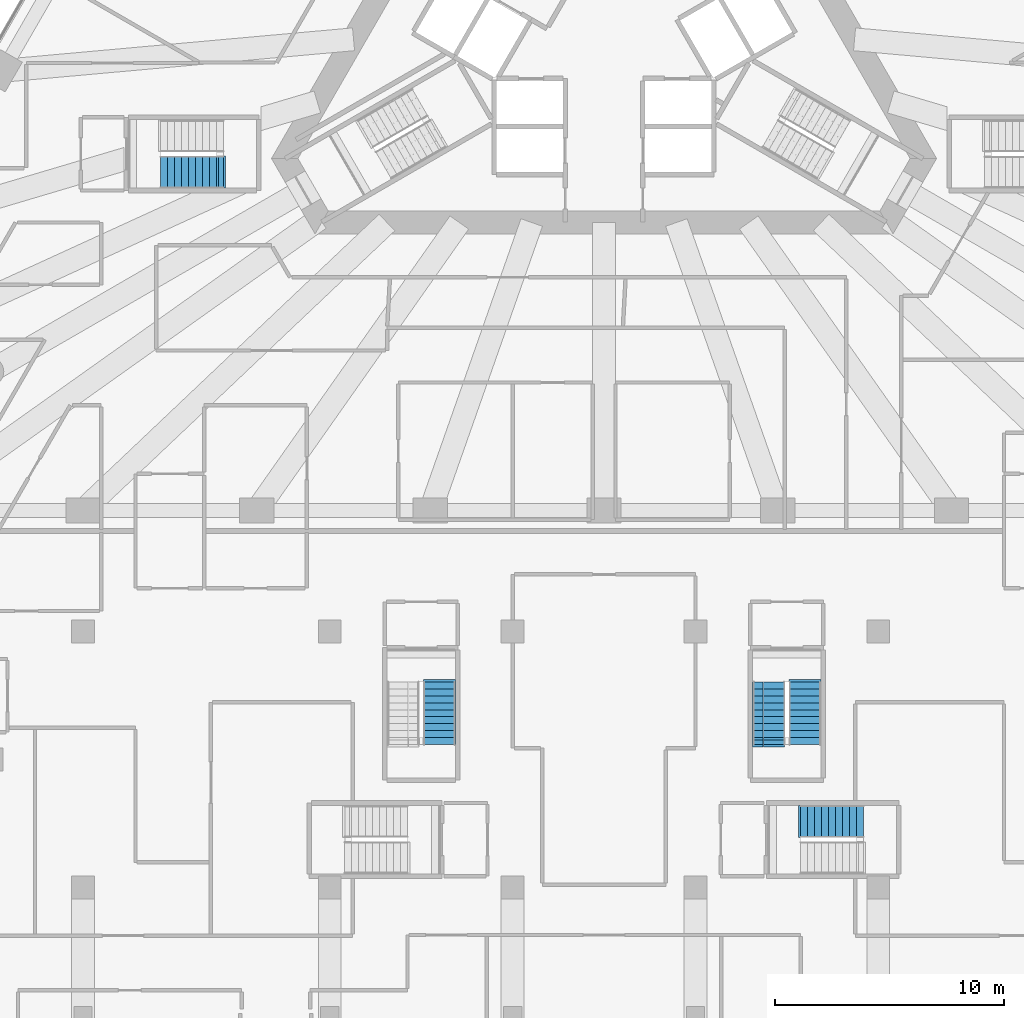
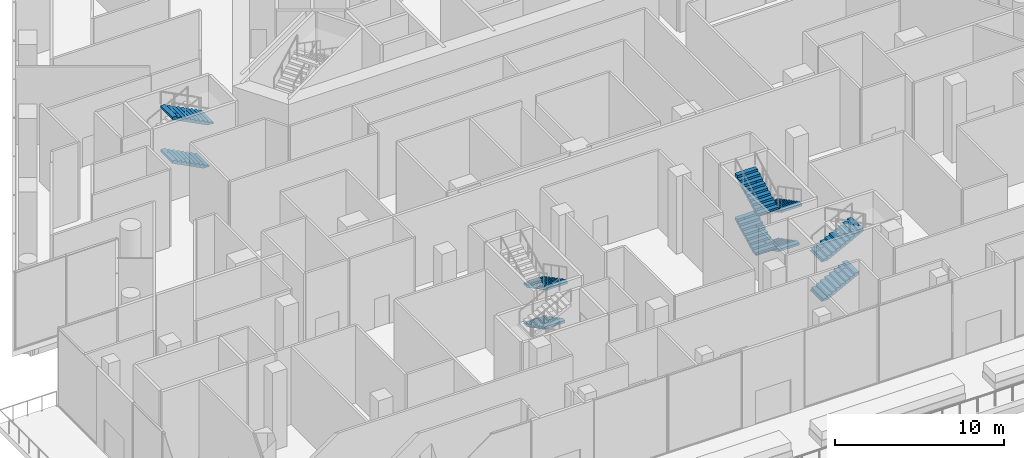
# One storey, part 30 of 36: 10 stair flights, 4 elements without a shape of their own.
"""IFC4 building model written with IfcOpenShell, lengths in metres."""

import ifcopenshell
import ifcopenshell.guid

model = None  # the IFC model being written
_history = None  # IfcOwnerHistory: only IFC2X3 demands one
_inside = {}  # id of a spatial element -> (the spatial element, [elements in it])
_under = {}  # id of a project, library or spatial element -> (it, [spatial elements below it])
_declared = {}  # id of a project -> (the project, [libraries it declares])
_typed = {}  # id of a type object -> (the type object, [elements of that type])
_made_of = {}  # id of a material, layer set ... -> (it, [elements and type objects made of it])


def new_model(schema):
    """Start an empty IFC model of exactly this schema.

    Asked for "IFC4X3", IfcOpenShell would pick the latest addendum, in which some entities
    have other attributes; the version numbers below select the first issue.
    IFC2X3 requires an IfcOwnerHistory on every rooted entity: one is made here for all.
    """
    global model, _history
    if schema == "IFC4X3":
        model = ifcopenshell.file(schema_version=(4, 3, 0, 0))
    else:
        model = ifcopenshell.file(schema=schema)
    _inside.clear()
    _under.clear()
    _declared.clear()
    _typed.clear()
    _made_of.clear()
    _history = None
    if model.schema == "IFC2X3":
        org = make("IfcOrganization", Name="unknown")
        user = make(
            "IfcPersonAndOrganization",
            ThePerson=make("IfcPerson", FamilyName="unknown"),
            TheOrganization=org,
        )
        app = make(
            "IfcApplication",
            ApplicationDeveloper=org,
            Version="unknown",
            ApplicationFullName="unknown",
            ApplicationIdentifier="unknown",
        )
        _history = make(
            "IfcOwnerHistory",
            OwningUser=user,
            OwningApplication=app,
            ChangeAction="ADDED",
            CreationDate=0,
        )
    return model


def make(cls, **values):
    """One entity of the class cls with the attributes given. An attribute that is None is left unset."""
    return model.create_entity(
        cls, **{name: value for name, value in values.items() if value is not None}
    )


def rooted(cls, **values):
    """An entity with a GlobalId (a new one), such as an element, a storey or a relation."""
    return make(cls, GlobalId=ifcopenshell.guid.new(), OwnerHistory=_history, **values)


def si_unit(unit_type, name, prefix=None):
    """IfcSIUnit, for example si_unit("LENGTHUNIT", "METRE", prefix="MILLI")."""
    return make("IfcSIUnit", UnitType=unit_type, Prefix=prefix, Name=name)


def assignment(units):
    """IfcUnitAssignment: the units of a project."""
    return None if units is None else make("IfcUnitAssignment", Units=units)


def point(xyz):
    """IfcCartesianPoint."""
    return None if xyz is None else make("IfcCartesianPoint", Coordinates=xyz)


def direction(xyz):
    """IfcDirection."""
    return None if xyz is None else make("IfcDirection", DirectionRatios=xyz)


def frame(location, z_axis=None, x_axis=None):
    """IfcAxis2Placement3D, a coordinate frame: its origin and axes. An axis left out is left unset."""
    return make(
        "IfcAxis2Placement3D",
        Location=point(location),
        Axis=direction(z_axis),
        RefDirection=direction(x_axis),
    )


def origin():
    """The frame at (0, 0, 0) with its axes left unset."""
    return frame((0.0, 0.0, 0.0))


def place(relative_to, where):
    """IfcLocalPlacement: puts the frame where relative to a parent placement (None: the world)."""
    return make(
        "IfcLocalPlacement", PlacementRelTo=relative_to, RelativePlacement=where
    )


def context(
    kind, dimensions, precision=None, world=None, true_north=None, identifier=None
):
    """IfcGeometricRepresentationContext, for example the 3D "Model" context."""
    return make(
        "IfcGeometricRepresentationContext",
        ContextIdentifier=identifier,
        ContextType=kind,
        CoordinateSpaceDimension=dimensions,
        Precision=precision,
        WorldCoordinateSystem=world,
        TrueNorth=true_north,
    )


def subcontext(parent, identifier, kind, view, scale=None):
    """IfcGeometricRepresentationSubContext, for example "Body" below "Model"."""
    return make(
        "IfcGeometricRepresentationSubContext",
        ContextIdentifier=identifier,
        ContextType=kind,
        ParentContext=parent,
        TargetScale=scale,
        TargetView=view,
    )


def project(units=None, contexts=None):
    """IfcProject with its units and contexts."""
    return rooted(
        "IfcProject",
        Name="project",
        RepresentationContexts=contexts,
        UnitsInContext=assignment(units),
    )


def spatial(cls, under=None, at=None, **own):
    """A site, building, storey or space (cls), placed at a placement, below another one or the project."""
    s = rooted(cls, ObjectPlacement=at, **own)
    if under is not None:
        _under.setdefault(under.id(), (under, []))[1].append(s)
    return s


def polyline(points):
    """IfcPolyline through the points."""
    return make("IfcPolyline", Points=[point(p) for p in points])


def outline(outer, holes=None, kind="AREA"):
    """IfcArbitraryClosedProfileDef: a profile drawn as a closed curve; with holes, ...WithVoids."""
    if holes is None:
        return make("IfcArbitraryClosedProfileDef", ProfileType=kind, OuterCurve=outer)
    return make(
        "IfcArbitraryProfileDefWithVoids",
        ProfileType=kind,
        OuterCurve=outer,
        InnerCurves=holes,
    )


def extrude(swept, where, along, depth):
    """IfcExtrudedAreaSolid: the profile swept, set in the frame where, extruded along a direction by depth."""
    return make(
        "IfcExtrudedAreaSolid",
        SweptArea=swept,
        Position=where,
        ExtrudedDirection=direction(along),
        Depth=depth,
    )


def shape(context_of_items, identifier, shape_type, items):
    """IfcShapeRepresentation: the items that make up one representation, for example the "Body"."""
    return make(
        "IfcShapeRepresentation",
        ContextOfItems=context_of_items,
        RepresentationIdentifier=identifier,
        RepresentationType=shape_type,
        Items=items,
    )


def material(Name=None, Category=None):
    """IfcMaterial."""
    return make("IfcMaterial", Name=Name, Category=Category)


def made_of(thing, what):
    """Note that an element or type object is made of a material, layer set ...; save() writes the relation."""
    if what is not None:
        _made_of.setdefault(what.id(), (what, []))[1].append(thing)
    return thing


def type_object(cls, material=None, **own):
    """A type object (cls), such as IfcWallType, which elements share."""
    return made_of(rooted(cls, **own), material)


def element(
    cls,
    number,
    at=None,
    inside=None,
    cuts=None,
    type_object=None,
    material=None,
    context=None,
    identifier="Body",
    shape_type=None,
    held_by="IfcProductDefinitionShape",
    body=None,
    shapes=None,
    **own,
):
    """One element of the class cls, such as IfcWall. Its Tag is "e" and its number.

    at: its placement. inside: the storey or other place that contains it. cuts: it is an
    opening in that element (IfcRelVoidsElement). A single representation is given by context,
    identifier, shape_type and body (its items); several are given by shapes. held_by: the class
    of the entity that holds the representations. save() writes the other relations.
    """
    e = rooted(cls, Tag="e%d" % number, ObjectPlacement=at, **own)
    if body is not None:
        shapes = [shape(context, identifier, shape_type, body)]
    if shapes is not None:
        e.Representation = make(held_by, Representations=shapes)
    if inside is not None:
        _inside.setdefault(inside.id(), (inside, []))[1].append(e)
    if cuts is not None:
        rooted(
            "IfcRelVoidsElement", RelatingBuildingElement=cuts, RelatedOpeningElement=e
        )
    if type_object is not None:
        _typed.setdefault(type_object.id(), (type_object, []))[1].append(e)
    return made_of(e, material)


def aggregate(whole, parts):
    """IfcRelAggregates: a whole, such as a stair, and the parts it consists of."""
    return rooted("IfcRelAggregates", RelatingObject=whole, RelatedObjects=parts)


def save(model, path):
    """Write the relations noted so far, then the file.

    IfcRelAggregates (storeys below a building ...), IfcRelContainedInSpatialStructure (elements
    in a storey), IfcRelDefinesByType, IfcRelAssociatesMaterial and IfcRelDeclares: one each for
    every whole, place, type object, material and project.
    """
    for whole, parts in _under.values():
        aggregate(whole, parts)
    for where, things in _inside.values():
        rooted(
            "IfcRelContainedInSpatialStructure",
            RelatedElements=things,
            RelatingStructure=where,
        )
    for kind, things in _typed.values():
        rooted("IfcRelDefinesByType", RelatedObjects=things, RelatingType=kind)
    for what, things in _made_of.values():
        rooted("IfcRelAssociatesMaterial", RelatedObjects=things, RelatingMaterial=what)
    for by, libraries in _declared.values():
        rooted("IfcRelDeclares", RelatingContext=by, RelatedDefinitions=libraries)
    model.write(path)


model = new_model("IFC4")

# Units and contexts
model_context = context("Model", 3, precision=1e-05, world=origin(), true_north=direction((0.0, 1.0)))
body_context = subcontext(model_context, "Body", "Model", "MODEL_VIEW")
ifc_project = project(units=[si_unit("LENGTHUNIT", "METRE"), si_unit("AREAUNIT", "SQUARE_METRE"), si_unit("VOLUMEUNIT", "CUBIC_METRE"), si_unit("PLANEANGLEUNIT", "RADIAN"), si_unit("MASSUNIT", "GRAM", prefix="KILO")], contexts=[model_context])

# Site, building, storey
site_placement = place(None, origin())
site = spatial("IfcSite", under=ifc_project, at=site_placement, CompositionType="ELEMENT")
building_placement = place(site_placement, origin())
building = spatial("IfcBuilding", under=site, at=building_placement, Name="Triada Interchange Tower", CompositionType="ELEMENT")
storey_placement = place(building_placement, frame((0.0, 0.0, 8.5)))
storey = spatial("IfcBuildingStorey", under=building, at=storey_placement, Name="L01", CompositionType="ELEMENT", Elevation=8.5)

# Stair, stair flights
ifc_material = material(Name="Concrete C35/45", Category="concrete")
stair_type = type_object("IfcStairType", Name="HALF TURN STAIR 1400", PredefinedType="HALF_TURN_STAIR", material=ifc_material)
stair_1_placement = place(storey_placement, origin())
stair_1 = element("IfcStair", 1, at=stair_1_placement, inside=storey, type_object=stair_type, Name="Exit stair S01-5", PredefinedType="HALF_TURN_STAIR")
stair_flight_type = type_object("IfcStairFlightType", Name="STRAIGHT STAIR FLIGHT 1400", PredefinedType="STRAIGHT", material=ifc_material)
stair_flight_1_placement = place(storey_placement, frame((8.60009765625, -35.199951171875, 0.0), z_axis=(0.0, 0.0, 1.0), x_axis=(1.0, 0.0, 0.0)))
stair_flight_1 = element("IfcStairFlight", 2, at=stair_flight_1_placement, type_object=stair_flight_type, Name="S01-5 flight 1", NumberOfRisers=9, NumberOfTreads=8, PredefinedType="STRAIGHT", RiserHeight=0.15789, TreadLength=0.305, context=body_context, shape_type="SweptSolid", body=[
    extrude(outline(polyline([(-0.10009765625, 0.0), (-0.10009765625, 0.02001953125), (0.0, 0.02001953125), (0.0, 0.157958984375), (0.304931640625, 0.157958984375), (0.304931640625, 0.315673828125), (0.610107421875, 0.315673828125), (0.610107421875, 0.4736328125), (0.9150390625, 0.4736328125), (0.9150390625, 0.631591796875), (1.219970703125, 0.631591796875), (1.219970703125, 0.78955078125), (1.52490234375, 0.78955078125), (1.52490234375, 0.947265625), (1.830078125, 0.947265625), (1.830078125, 1.105224609375), (2.135009765625, 1.105224609375), (2.135009765625, 1.26318359375), (2.43994140625, 1.26318359375), (2.444091796875, 1.26318359375), (2.444091796875, 1.4208984375), (2.444091796875, 1.09423828125), (0.326171875, 0.0), (-0.10009765625, 0.0)])), frame((0.0, 0.699951171875, 0.0), z_axis=(0.0, -1.0, 0.0), x_axis=(1.0, 0.0, 0.0)), (0.0, 0.0, 1.0), 0.46533203125),
    extrude(outline(polyline([(-0.10009765625, 0.0), (-0.10009765625, 0.02001953125), (0.0, 0.02001953125), (0.0, 0.157958984375), (0.304931640625, 0.157958984375), (0.304931640625, 0.315673828125), (0.610107421875, 0.315673828125), (0.610107421875, 0.4736328125), (0.9150390625, 0.4736328125), (0.9150390625, 0.631591796875), (1.219970703125, 0.631591796875), (1.219970703125, 0.78955078125), (1.52490234375, 0.78955078125), (1.52490234375, 0.947265625), (1.830078125, 0.947265625), (1.830078125, 1.105224609375), (2.135009765625, 1.105224609375), (2.135009765625, 1.26318359375), (2.43994140625, 1.26318359375), (2.444091796875, 1.26318359375), (2.444091796875, 1.4208984375), (2.444091796875, 1.09423828125), (0.326171875, 0.0), (-0.10009765625, 0.0)])), frame((0.0, 0.232666015625, 0.0), z_axis=(0.0, -1.0, 0.0), x_axis=(1.0, 0.0, 0.0)), (0.0, 0.0, 1.0), 0.46533203125),
    extrude(outline(polyline([(-0.10009765625, 0.0), (-0.10009765625, 0.02001953125), (0.0, 0.02001953125), (0.0, 0.157958984375), (0.304931640625, 0.157958984375), (0.304931640625, 0.315673828125), (0.610107421875, 0.315673828125), (0.610107421875, 0.4736328125), (0.9150390625, 0.4736328125), (0.9150390625, 0.631591796875), (1.219970703125, 0.631591796875), (1.219970703125, 0.78955078125), (1.52490234375, 0.78955078125), (1.52490234375, 0.947265625), (1.830078125, 0.947265625), (1.830078125, 1.105224609375), (2.135009765625, 1.105224609375), (2.135009765625, 1.26318359375), (2.43994140625, 1.26318359375), (2.444091796875, 1.26318359375), (2.444091796875, 1.4208984375), (2.444091796875, 1.09423828125), (0.326171875, 0.0), (-0.10009765625, 0.0)])), frame((0.0, -0.234619140625, 0.0), z_axis=(0.0, -1.0, 0.0), x_axis=(1.0, 0.0, 0.0)), (0.0, 0.0, 1.0), 0.46533203125),
])
stair_flight_2_placement = place(storey_placement, frame((8.60009765625, -35.199951171875, 2.842041015625), z_axis=(0.0, 0.0, 1.0), x_axis=(1.0, 0.0, 0.0)))
stair_flight_2 = element("IfcStairFlight", 3, at=stair_flight_2_placement, type_object=stair_flight_type, Name="S01-5 flight 3", NumberOfRisers=10, NumberOfTreads=9, PredefinedType="STRAIGHT", RiserHeight=0.15789, TreadLength=0.305, context=body_context, shape_type="SweptSolid", body=[
    extrude(outline(polyline([(-0.10009765625, 0.0), (-0.10009765625, 0.02001953125), (0.0, 0.02001953125), (0.0, 0.157958984375), (0.304931640625, 0.157958984375), (0.304931640625, 0.315673828125), (0.610107421875, 0.315673828125), (0.610107421875, 0.4736328125), (0.9150390625, 0.4736328125), (0.9150390625, 0.631591796875), (1.219970703125, 0.631591796875), (1.219970703125, 0.78955078125), (1.52490234375, 0.78955078125), (1.52490234375, 0.947265625), (1.830078125, 0.947265625), (1.830078125, 1.105224609375), (2.135009765625, 1.105224609375), (2.135009765625, 1.26318359375), (2.43994140625, 1.26318359375), (2.43994140625, 1.4208984375), (2.7451171875, 1.4208984375), (2.7490234375, 1.4208984375), (2.7490234375, 1.578857421875), (2.7490234375, 1.252197265625), (0.326171875, 0.0), (-0.10009765625, 0.0)])), frame((0.0, 0.699951171875, 0.0), z_axis=(0.0, -1.0, 0.0), x_axis=(1.0, 0.0, 0.0)), (0.0, 0.0, 1.0), 0.46533203125),
    extrude(outline(polyline([(-0.10009765625, 0.0), (-0.10009765625, 0.02001953125), (0.0, 0.02001953125), (0.0, 0.157958984375), (0.304931640625, 0.157958984375), (0.304931640625, 0.315673828125), (0.610107421875, 0.315673828125), (0.610107421875, 0.4736328125), (0.9150390625, 0.4736328125), (0.9150390625, 0.631591796875), (1.219970703125, 0.631591796875), (1.219970703125, 0.78955078125), (1.52490234375, 0.78955078125), (1.52490234375, 0.947265625), (1.830078125, 0.947265625), (1.830078125, 1.105224609375), (2.135009765625, 1.105224609375), (2.135009765625, 1.26318359375), (2.43994140625, 1.26318359375), (2.43994140625, 1.4208984375), (2.7451171875, 1.4208984375), (2.7490234375, 1.4208984375), (2.7490234375, 1.578857421875), (2.7490234375, 1.252197265625), (0.326171875, 0.0), (-0.10009765625, 0.0)])), frame((0.0, 0.232666015625, 0.0), z_axis=(0.0, -1.0, 0.0), x_axis=(1.0, 0.0, 0.0)), (0.0, 0.0, 1.0), 0.46533203125),
    extrude(outline(polyline([(-0.10009765625, 0.0), (-0.10009765625, 0.02001953125), (0.0, 0.02001953125), (0.0, 0.157958984375), (0.304931640625, 0.157958984375), (0.304931640625, 0.315673828125), (0.610107421875, 0.315673828125), (0.610107421875, 0.4736328125), (0.9150390625, 0.4736328125), (0.9150390625, 0.631591796875), (1.219970703125, 0.631591796875), (1.219970703125, 0.78955078125), (1.52490234375, 0.78955078125), (1.52490234375, 0.947265625), (1.830078125, 0.947265625), (1.830078125, 1.105224609375), (2.135009765625, 1.105224609375), (2.135009765625, 1.26318359375), (2.43994140625, 1.26318359375), (2.43994140625, 1.4208984375), (2.7451171875, 1.4208984375), (2.7490234375, 1.4208984375), (2.7490234375, 1.578857421875), (2.7490234375, 1.252197265625), (0.326171875, 0.0), (-0.10009765625, 0.0)])), frame((0.0, -0.234619140625, 0.0), z_axis=(0.0, -1.0, 0.0), x_axis=(1.0, 0.0, 0.0)), (0.0, 0.0, 1.0), 0.46533203125),
])
aggregate(stair_1, [stair_flight_1, stair_flight_2])

stair_2_placement = place(storey_placement, origin())
stair_2 = element("IfcStair", 4, at=stair_2_placement, inside=storey, type_object=stair_type, Name="Exit stair S01-6", PredefinedType="HALF_TURN_STAIR")
stair_flight_3_placement = place(storey_placement, frame((-16.9599609375, -6.800048828125, 1.4208984375), z_axis=(0.0, 0.0, 1.0), x_axis=(-1.0, 0.0, 0.0)))
stair_flight_3 = element("IfcStairFlight", 5, at=stair_flight_3_placement, type_object=stair_flight_type, Name="S01-6 flight 2", NumberOfRisers=9, NumberOfTreads=8, PredefinedType="STRAIGHT", RiserHeight=0.15789, TreadLength=0.305, context=body_context, shape_type="SweptSolid", body=[
    extrude(outline(polyline([(-0.10009765625, 0.0), (-0.10009765625, 0.02001953125), (0.0, 0.02001953125), (0.0, 0.157958984375), (0.304931640625, 0.157958984375), (0.304931640625, 0.315673828125), (0.610107421875, 0.315673828125), (0.610107421875, 0.4736328125), (0.9150390625, 0.4736328125), (0.9150390625, 0.631591796875), (1.219970703125, 0.631591796875), (1.219970703125, 0.78955078125), (1.52490234375, 0.78955078125), (1.52490234375, 0.947265625), (1.830078125, 0.947265625), (1.830078125, 1.105224609375), (2.135009765625, 1.105224609375), (2.135009765625, 1.26318359375), (2.43994140625, 1.26318359375), (2.444091796875, 1.26318359375), (2.444091796875, 1.4208984375), (2.444091796875, 1.09423828125), (0.326171875, 0.0), (-0.10009765625, 0.0)])), frame((0.0, 0.699951171875, 0.0), z_axis=(0.0, -1.0, 0.0), x_axis=(1.0, 0.0, 0.0)), (0.0, 0.0, 1.0), 0.46533203125),
    extrude(outline(polyline([(-0.10009765625, 0.0), (-0.10009765625, 0.02001953125), (0.0, 0.02001953125), (0.0, 0.157958984375), (0.304931640625, 0.157958984375), (0.304931640625, 0.315673828125), (0.610107421875, 0.315673828125), (0.610107421875, 0.4736328125), (0.9150390625, 0.4736328125), (0.9150390625, 0.631591796875), (1.219970703125, 0.631591796875), (1.219970703125, 0.78955078125), (1.52490234375, 0.78955078125), (1.52490234375, 0.947265625), (1.830078125, 0.947265625), (1.830078125, 1.105224609375), (2.135009765625, 1.105224609375), (2.135009765625, 1.26318359375), (2.43994140625, 1.26318359375), (2.444091796875, 1.26318359375), (2.444091796875, 1.4208984375), (2.444091796875, 1.09423828125), (0.326171875, 0.0), (-0.10009765625, 0.0)])), frame((0.0, 0.232666015625, 0.0), z_axis=(0.0, -1.0, 0.0), x_axis=(1.0, 0.0, 0.0)), (0.0, 0.0, 1.0), 0.46533203125),
    extrude(outline(polyline([(-0.10009765625, 0.0), (-0.10009765625, 0.02001953125), (0.0, 0.02001953125), (0.0, 0.157958984375), (0.304931640625, 0.157958984375), (0.304931640625, 0.315673828125), (0.610107421875, 0.315673828125), (0.610107421875, 0.4736328125), (0.9150390625, 0.4736328125), (0.9150390625, 0.631591796875), (1.219970703125, 0.631591796875), (1.219970703125, 0.78955078125), (1.52490234375, 0.78955078125), (1.52490234375, 0.947265625), (1.830078125, 0.947265625), (1.830078125, 1.105224609375), (2.135009765625, 1.105224609375), (2.135009765625, 1.26318359375), (2.43994140625, 1.26318359375), (2.444091796875, 1.26318359375), (2.444091796875, 1.4208984375), (2.444091796875, 1.09423828125), (0.326171875, 0.0), (-0.10009765625, 0.0)])), frame((0.0, -0.234619140625, 0.0), z_axis=(0.0, -1.0, 0.0), x_axis=(1.0, 0.0, 0.0)), (0.0, 0.0, 1.0), 0.46533203125),
])
stair_flight_4_placement = place(storey_placement, frame((-16.655029296875, -6.800048828125, 4.4208984375), z_axis=(0.0, 0.0, 1.0), x_axis=(-1.0, 0.0, 0.0)))
stair_flight_4 = element("IfcStairFlight", 6, at=stair_flight_4_placement, type_object=stair_flight_type, Name="S01-6 flight 4", NumberOfRisers=10, NumberOfTreads=9, PredefinedType="STRAIGHT", RiserHeight=0.15789, TreadLength=0.305, context=body_context, shape_type="SweptSolid", body=[
    extrude(outline(polyline([(-0.10009765625, 0.0), (-0.10009765625, 0.02001953125), (0.0, 0.02001953125), (0.0, 0.157958984375), (0.304931640625, 0.157958984375), (0.304931640625, 0.315673828125), (0.610107421875, 0.315673828125), (0.610107421875, 0.4736328125), (0.9150390625, 0.4736328125), (0.9150390625, 0.631591796875), (1.219970703125, 0.631591796875), (1.219970703125, 0.78955078125), (1.52490234375, 0.78955078125), (1.52490234375, 0.947265625), (1.830078125, 0.947265625), (1.830078125, 1.105224609375), (2.135009765625, 1.105224609375), (2.135009765625, 1.26318359375), (2.43994140625, 1.26318359375), (2.43994140625, 1.4208984375), (2.7451171875, 1.4208984375), (2.7490234375, 1.4208984375), (2.7490234375, 1.578857421875), (2.7490234375, 1.252197265625), (0.326171875, 0.0), (-0.10009765625, 0.0)])), frame((0.0, 0.699951171875, 0.0), z_axis=(0.0, -1.0, 0.0), x_axis=(1.0, 0.0, 0.0)), (0.0, 0.0, 1.0), 0.46533203125),
    extrude(outline(polyline([(-0.10009765625, 0.0), (-0.10009765625, 0.02001953125), (0.0, 0.02001953125), (0.0, 0.157958984375), (0.304931640625, 0.157958984375), (0.304931640625, 0.315673828125), (0.610107421875, 0.315673828125), (0.610107421875, 0.4736328125), (0.9150390625, 0.4736328125), (0.9150390625, 0.631591796875), (1.219970703125, 0.631591796875), (1.219970703125, 0.78955078125), (1.52490234375, 0.78955078125), (1.52490234375, 0.947265625), (1.830078125, 0.947265625), (1.830078125, 1.105224609375), (2.135009765625, 1.105224609375), (2.135009765625, 1.26318359375), (2.43994140625, 1.26318359375), (2.43994140625, 1.4208984375), (2.7451171875, 1.4208984375), (2.7490234375, 1.4208984375), (2.7490234375, 1.578857421875), (2.7490234375, 1.252197265625), (0.326171875, 0.0), (-0.10009765625, 0.0)])), frame((0.0, 0.232666015625, 0.0), z_axis=(0.0, -1.0, 0.0), x_axis=(1.0, 0.0, 0.0)), (0.0, 0.0, 1.0), 0.46533203125),
    extrude(outline(polyline([(-0.10009765625, 0.0), (-0.10009765625, 0.02001953125), (0.0, 0.02001953125), (0.0, 0.157958984375), (0.304931640625, 0.157958984375), (0.304931640625, 0.315673828125), (0.610107421875, 0.315673828125), (0.610107421875, 0.4736328125), (0.9150390625, 0.4736328125), (0.9150390625, 0.631591796875), (1.219970703125, 0.631591796875), (1.219970703125, 0.78955078125), (1.52490234375, 0.78955078125), (1.52490234375, 0.947265625), (1.830078125, 0.947265625), (1.830078125, 1.105224609375), (2.135009765625, 1.105224609375), (2.135009765625, 1.26318359375), (2.43994140625, 1.26318359375), (2.43994140625, 1.4208984375), (2.7451171875, 1.4208984375), (2.7490234375, 1.4208984375), (2.7490234375, 1.578857421875), (2.7490234375, 1.252197265625), (0.326171875, 0.0), (-0.10009765625, 0.0)])), frame((0.0, -0.234619140625, 0.0), z_axis=(0.0, -1.0, 0.0), x_axis=(1.0, 0.0, 0.0)), (0.0, 0.0, 1.0), 0.46533203125),
])
aggregate(stair_2, [stair_flight_3, stair_flight_4])

stair_3_placement = place(storey_placement, origin())
stair_3 = element("IfcStair", 7, at=stair_3_placement, inside=storey, type_object=stair_type, Name="Exit stair S01-10", PredefinedType="HALF_TURN_STAIR")
stair_flight_5_placement = place(storey_placement, frame((8.800048828125, -29.10009765625, 0.0), z_axis=(0.0, 0.0, 1.0), x_axis=(0.0, -1.0, 0.0)))
stair_flight_5 = element("IfcStairFlight", 8, at=stair_flight_5_placement, type_object=stair_flight_type, Name="S01-10 flight 1", NumberOfRisers=9, NumberOfTreads=8, PredefinedType="STRAIGHT", RiserHeight=0.15789, TreadLength=0.305, context=body_context, shape_type="SweptSolid", body=[
    extrude(outline(polyline([(-0.10009765625, 0.0), (-0.10009765625, 0.02001953125), (0.0, 0.02001953125), (0.0, 0.157958984375), (0.304931640625, 0.157958984375), (0.304931640625, 0.315673828125), (0.610107421875, 0.315673828125), (0.610107421875, 0.4736328125), (0.9150390625, 0.4736328125), (0.9150390625, 0.631591796875), (1.219970703125, 0.631591796875), (1.219970703125, 0.78955078125), (1.52490234375, 0.78955078125), (1.52490234375, 0.947265625), (1.830078125, 0.947265625), (1.830078125, 1.105224609375), (2.135009765625, 1.105224609375), (2.135009765625, 1.26318359375), (2.43994140625, 1.26318359375), (2.444091796875, 1.26318359375), (2.444091796875, 1.4208984375), (2.444091796875, 1.09423828125), (0.326171875, 0.0), (-0.10009765625, 0.0)])), frame((0.0, 0.699951171875, 0.0), z_axis=(0.0, -1.0, 0.0), x_axis=(1.0, 0.0, 0.0)), (0.0, 0.0, 1.0), 0.46533203125),
    extrude(outline(polyline([(-0.10009765625, 0.0), (-0.10009765625, 0.02001953125), (0.0, 0.02001953125), (0.0, 0.157958984375), (0.304931640625, 0.157958984375), (0.304931640625, 0.315673828125), (0.610107421875, 0.315673828125), (0.610107421875, 0.4736328125), (0.9150390625, 0.4736328125), (0.9150390625, 0.631591796875), (1.219970703125, 0.631591796875), (1.219970703125, 0.78955078125), (1.52490234375, 0.78955078125), (1.52490234375, 0.947265625), (1.830078125, 0.947265625), (1.830078125, 1.105224609375), (2.135009765625, 1.105224609375), (2.135009765625, 1.26318359375), (2.43994140625, 1.26318359375), (2.444091796875, 1.26318359375), (2.444091796875, 1.4208984375), (2.444091796875, 1.09423828125), (0.326171875, 0.0), (-0.10009765625, 0.0)])), frame((0.0, 0.232666015625, 0.0), z_axis=(0.0, -1.0, 0.0), x_axis=(1.0, 0.0, 0.0)), (0.0, 0.0, 1.0), 0.46533203125),
    extrude(outline(polyline([(-0.10009765625, 0.0), (-0.10009765625, 0.02001953125), (0.0, 0.02001953125), (0.0, 0.157958984375), (0.304931640625, 0.157958984375), (0.304931640625, 0.315673828125), (0.610107421875, 0.315673828125), (0.610107421875, 0.4736328125), (0.9150390625, 0.4736328125), (0.9150390625, 0.631591796875), (1.219970703125, 0.631591796875), (1.219970703125, 0.78955078125), (1.52490234375, 0.78955078125), (1.52490234375, 0.947265625), (1.830078125, 0.947265625), (1.830078125, 1.105224609375), (2.135009765625, 1.105224609375), (2.135009765625, 1.26318359375), (2.43994140625, 1.26318359375), (2.444091796875, 1.26318359375), (2.444091796875, 1.4208984375), (2.444091796875, 1.09423828125), (0.326171875, 0.0), (-0.10009765625, 0.0)])), frame((0.0, -0.234619140625, 0.0), z_axis=(0.0, -1.0, 0.0), x_axis=(1.0, 0.0, 0.0)), (0.0, 0.0, 1.0), 0.46533203125),
])
stair_flight_6_placement = place(storey_placement, frame((7.199951171875, -31.5400390625, 1.4208984375), z_axis=(0.0, 0.0, 1.0), x_axis=(0.0, 1.0, 0.0)))
stair_flight_6 = element("IfcStairFlight", 9, at=stair_flight_6_placement, type_object=stair_flight_type, Name="S01-10 flight 2", NumberOfRisers=9, NumberOfTreads=8, PredefinedType="STRAIGHT", RiserHeight=0.15789, TreadLength=0.305, context=body_context, shape_type="SweptSolid", body=[
    extrude(outline(polyline([(-0.10009765625, 0.0), (-0.10009765625, 0.02001953125), (0.0, 0.02001953125), (0.0, 0.157958984375), (0.304931640625, 0.157958984375), (0.304931640625, 0.315673828125), (0.610107421875, 0.315673828125), (0.610107421875, 0.4736328125), (0.9150390625, 0.4736328125), (0.9150390625, 0.631591796875), (1.219970703125, 0.631591796875), (1.219970703125, 0.78955078125), (1.52490234375, 0.78955078125), (1.52490234375, 0.947265625), (1.830078125, 0.947265625), (1.830078125, 1.105224609375), (2.135009765625, 1.105224609375), (2.135009765625, 1.26318359375), (2.43994140625, 1.26318359375), (2.444091796875, 1.26318359375), (2.444091796875, 1.4208984375), (2.444091796875, 1.09423828125), (0.326171875, 0.0), (-0.10009765625, 0.0)])), frame((0.0, 0.699951171875, 0.0), z_axis=(0.0, -1.0, 0.0), x_axis=(1.0, 0.0, 0.0)), (0.0, 0.0, 1.0), 0.46533203125),
    extrude(outline(polyline([(-0.10009765625, 0.0), (-0.10009765625, 0.02001953125), (0.0, 0.02001953125), (0.0, 0.157958984375), (0.304931640625, 0.157958984375), (0.304931640625, 0.315673828125), (0.610107421875, 0.315673828125), (0.610107421875, 0.4736328125), (0.9150390625, 0.4736328125), (0.9150390625, 0.631591796875), (1.219970703125, 0.631591796875), (1.219970703125, 0.78955078125), (1.52490234375, 0.78955078125), (1.52490234375, 0.947265625), (1.830078125, 0.947265625), (1.830078125, 1.105224609375), (2.135009765625, 1.105224609375), (2.135009765625, 1.26318359375), (2.43994140625, 1.26318359375), (2.444091796875, 1.26318359375), (2.444091796875, 1.4208984375), (2.444091796875, 1.09423828125), (0.326171875, 0.0), (-0.10009765625, 0.0)])), frame((0.0, 0.232666015625, 0.0), z_axis=(0.0, -1.0, 0.0), x_axis=(1.0, 0.0, 0.0)), (0.0, 0.0, 1.0), 0.46533203125),
    extrude(outline(polyline([(-0.10009765625, 0.0), (-0.10009765625, 0.02001953125), (0.0, 0.02001953125), (0.0, 0.157958984375), (0.304931640625, 0.157958984375), (0.304931640625, 0.315673828125), (0.610107421875, 0.315673828125), (0.610107421875, 0.4736328125), (0.9150390625, 0.4736328125), (0.9150390625, 0.631591796875), (1.219970703125, 0.631591796875), (1.219970703125, 0.78955078125), (1.52490234375, 0.78955078125), (1.52490234375, 0.947265625), (1.830078125, 0.947265625), (1.830078125, 1.105224609375), (2.135009765625, 1.105224609375), (2.135009765625, 1.26318359375), (2.43994140625, 1.26318359375), (2.444091796875, 1.26318359375), (2.444091796875, 1.4208984375), (2.444091796875, 1.09423828125), (0.326171875, 0.0), (-0.10009765625, 0.0)])), frame((0.0, -0.234619140625, 0.0), z_axis=(0.0, -1.0, 0.0), x_axis=(1.0, 0.0, 0.0)), (0.0, 0.0, 1.0), 0.46533203125),
])
stair_flight_7_placement = place(storey_placement, frame((8.800048828125, -29.10009765625, 2.842041015625), z_axis=(0.0, 0.0, 1.0), x_axis=(0.0, -1.0, 0.0)))
stair_flight_7 = element("IfcStairFlight", 10, at=stair_flight_7_placement, type_object=stair_flight_type, Name="S01-10 flight 3", NumberOfRisers=10, NumberOfTreads=9, PredefinedType="STRAIGHT", RiserHeight=0.15789, TreadLength=0.305, context=body_context, shape_type="SweptSolid", body=[
    extrude(outline(polyline([(-0.10009765625, 0.0), (-0.10009765625, 0.02001953125), (0.0, 0.02001953125), (0.0, 0.157958984375), (0.304931640625, 0.157958984375), (0.304931640625, 0.315673828125), (0.610107421875, 0.315673828125), (0.610107421875, 0.4736328125), (0.9150390625, 0.4736328125), (0.9150390625, 0.631591796875), (1.219970703125, 0.631591796875), (1.219970703125, 0.78955078125), (1.52490234375, 0.78955078125), (1.52490234375, 0.947265625), (1.830078125, 0.947265625), (1.830078125, 1.105224609375), (2.135009765625, 1.105224609375), (2.135009765625, 1.26318359375), (2.43994140625, 1.26318359375), (2.43994140625, 1.4208984375), (2.7451171875, 1.4208984375), (2.7490234375, 1.4208984375), (2.7490234375, 1.578857421875), (2.7490234375, 1.252197265625), (0.326171875, 0.0), (-0.10009765625, 0.0)])), frame((0.0, 0.699951171875, 0.0), z_axis=(0.0, -1.0, 0.0), x_axis=(1.0, 0.0, 0.0)), (0.0, 0.0, 1.0), 0.46533203125),
    extrude(outline(polyline([(-0.10009765625, 0.0), (-0.10009765625, 0.02001953125), (0.0, 0.02001953125), (0.0, 0.157958984375), (0.304931640625, 0.157958984375), (0.304931640625, 0.315673828125), (0.610107421875, 0.315673828125), (0.610107421875, 0.4736328125), (0.9150390625, 0.4736328125), (0.9150390625, 0.631591796875), (1.219970703125, 0.631591796875), (1.219970703125, 0.78955078125), (1.52490234375, 0.78955078125), (1.52490234375, 0.947265625), (1.830078125, 0.947265625), (1.830078125, 1.105224609375), (2.135009765625, 1.105224609375), (2.135009765625, 1.26318359375), (2.43994140625, 1.26318359375), (2.43994140625, 1.4208984375), (2.7451171875, 1.4208984375), (2.7490234375, 1.4208984375), (2.7490234375, 1.578857421875), (2.7490234375, 1.252197265625), (0.326171875, 0.0), (-0.10009765625, 0.0)])), frame((0.0, 0.232666015625, 0.0), z_axis=(0.0, -1.0, 0.0), x_axis=(1.0, 0.0, 0.0)), (0.0, 0.0, 1.0), 0.46533203125),
    extrude(outline(polyline([(-0.10009765625, 0.0), (-0.10009765625, 0.02001953125), (0.0, 0.02001953125), (0.0, 0.157958984375), (0.304931640625, 0.157958984375), (0.304931640625, 0.315673828125), (0.610107421875, 0.315673828125), (0.610107421875, 0.4736328125), (0.9150390625, 0.4736328125), (0.9150390625, 0.631591796875), (1.219970703125, 0.631591796875), (1.219970703125, 0.78955078125), (1.52490234375, 0.78955078125), (1.52490234375, 0.947265625), (1.830078125, 0.947265625), (1.830078125, 1.105224609375), (2.135009765625, 1.105224609375), (2.135009765625, 1.26318359375), (2.43994140625, 1.26318359375), (2.43994140625, 1.4208984375), (2.7451171875, 1.4208984375), (2.7490234375, 1.4208984375), (2.7490234375, 1.578857421875), (2.7490234375, 1.252197265625), (0.326171875, 0.0), (-0.10009765625, 0.0)])), frame((0.0, -0.234619140625, 0.0), z_axis=(0.0, -1.0, 0.0), x_axis=(1.0, 0.0, 0.0)), (0.0, 0.0, 1.0), 0.46533203125),
])
stair_flight_8_placement = place(storey_placement, frame((7.199951171875, -31.844970703125, 4.4208984375), z_axis=(0.0, 0.0, 1.0), x_axis=(0.0, 1.0, 0.0)))
stair_flight_8 = element("IfcStairFlight", 11, at=stair_flight_8_placement, type_object=stair_flight_type, Name="S01-10 flight 4", NumberOfRisers=10, NumberOfTreads=9, PredefinedType="STRAIGHT", RiserHeight=0.15789, TreadLength=0.305, context=body_context, shape_type="SweptSolid", body=[
    extrude(outline(polyline([(-0.10009765625, 0.0), (-0.10009765625, 0.02001953125), (0.0, 0.02001953125), (0.0, 0.157958984375), (0.304931640625, 0.157958984375), (0.304931640625, 0.315673828125), (0.610107421875, 0.315673828125), (0.610107421875, 0.4736328125), (0.9150390625, 0.4736328125), (0.9150390625, 0.631591796875), (1.219970703125, 0.631591796875), (1.219970703125, 0.78955078125), (1.52490234375, 0.78955078125), (1.52490234375, 0.947265625), (1.830078125, 0.947265625), (1.830078125, 1.105224609375), (2.135009765625, 1.105224609375), (2.135009765625, 1.26318359375), (2.43994140625, 1.26318359375), (2.43994140625, 1.4208984375), (2.7451171875, 1.4208984375), (2.7490234375, 1.4208984375), (2.7490234375, 1.578857421875), (2.7490234375, 1.252197265625), (0.326171875, 0.0), (-0.10009765625, 0.0)])), frame((0.0, 0.699951171875, 0.0), z_axis=(0.0, -1.0, 0.0), x_axis=(1.0, 0.0, 0.0)), (0.0, 0.0, 1.0), 0.46533203125),
    extrude(outline(polyline([(-0.10009765625, 0.0), (-0.10009765625, 0.02001953125), (0.0, 0.02001953125), (0.0, 0.157958984375), (0.304931640625, 0.157958984375), (0.304931640625, 0.315673828125), (0.610107421875, 0.315673828125), (0.610107421875, 0.4736328125), (0.9150390625, 0.4736328125), (0.9150390625, 0.631591796875), (1.219970703125, 0.631591796875), (1.219970703125, 0.78955078125), (1.52490234375, 0.78955078125), (1.52490234375, 0.947265625), (1.830078125, 0.947265625), (1.830078125, 1.105224609375), (2.135009765625, 1.105224609375), (2.135009765625, 1.26318359375), (2.43994140625, 1.26318359375), (2.43994140625, 1.4208984375), (2.7451171875, 1.4208984375), (2.7490234375, 1.4208984375), (2.7490234375, 1.578857421875), (2.7490234375, 1.252197265625), (0.326171875, 0.0), (-0.10009765625, 0.0)])), frame((0.0, 0.232666015625, 0.0), z_axis=(0.0, -1.0, 0.0), x_axis=(1.0, 0.0, 0.0)), (0.0, 0.0, 1.0), 0.46533203125),
    extrude(outline(polyline([(-0.10009765625, 0.0), (-0.10009765625, 0.02001953125), (0.0, 0.02001953125), (0.0, 0.157958984375), (0.304931640625, 0.157958984375), (0.304931640625, 0.315673828125), (0.610107421875, 0.315673828125), (0.610107421875, 0.4736328125), (0.9150390625, 0.4736328125), (0.9150390625, 0.631591796875), (1.219970703125, 0.631591796875), (1.219970703125, 0.78955078125), (1.52490234375, 0.78955078125), (1.52490234375, 0.947265625), (1.830078125, 0.947265625), (1.830078125, 1.105224609375), (2.135009765625, 1.105224609375), (2.135009765625, 1.26318359375), (2.43994140625, 1.26318359375), (2.43994140625, 1.4208984375), (2.7451171875, 1.4208984375), (2.7490234375, 1.4208984375), (2.7490234375, 1.578857421875), (2.7490234375, 1.252197265625), (0.326171875, 0.0), (-0.10009765625, 0.0)])), frame((0.0, -0.234619140625, 0.0), z_axis=(0.0, -1.0, 0.0), x_axis=(1.0, 0.0, 0.0)), (0.0, 0.0, 1.0), 0.46533203125),
])
aggregate(stair_3, [stair_flight_5, stair_flight_6, stair_flight_7, stair_flight_8])

stair_4_placement = place(storey_placement, origin())
stair_4 = element("IfcStair", 12, at=stair_4_placement, inside=storey, type_object=stair_type, Name="Exit stair S01-11", PredefinedType="HALF_TURN_STAIR")
stair_flight_9_placement = place(storey_placement, frame((-7.199951171875, -29.10009765625, 0.0), z_axis=(0.0, 0.0, 1.0), x_axis=(0.0, -1.0, 0.0)))
stair_flight_9 = element("IfcStairFlight", 13, at=stair_flight_9_placement, type_object=stair_flight_type, Name="S01-11 flight 1", NumberOfRisers=9, NumberOfTreads=8, PredefinedType="STRAIGHT", RiserHeight=0.15789, TreadLength=0.305, context=body_context, shape_type="SweptSolid", body=[
    extrude(outline(polyline([(-0.10009765625, 0.0), (-0.10009765625, 0.02001953125), (0.0, 0.02001953125), (0.0, 0.157958984375), (0.304931640625, 0.157958984375), (0.304931640625, 0.315673828125), (0.610107421875, 0.315673828125), (0.610107421875, 0.4736328125), (0.9150390625, 0.4736328125), (0.9150390625, 0.631591796875), (1.219970703125, 0.631591796875), (1.219970703125, 0.78955078125), (1.52490234375, 0.78955078125), (1.52490234375, 0.947265625), (1.830078125, 0.947265625), (1.830078125, 1.105224609375), (2.135009765625, 1.105224609375), (2.135009765625, 1.26318359375), (2.43994140625, 1.26318359375), (2.444091796875, 1.26318359375), (2.444091796875, 1.4208984375), (2.444091796875, 1.09423828125), (0.326171875, 0.0), (-0.10009765625, 0.0)])), frame((0.0, 0.699951171875, 0.0), z_axis=(0.0, -1.0, 0.0), x_axis=(1.0, 0.0, 0.0)), (0.0, 0.0, 1.0), 0.46533203125),
    extrude(outline(polyline([(-0.10009765625, 0.0), (-0.10009765625, 0.02001953125), (0.0, 0.02001953125), (0.0, 0.157958984375), (0.304931640625, 0.157958984375), (0.304931640625, 0.315673828125), (0.610107421875, 0.315673828125), (0.610107421875, 0.4736328125), (0.9150390625, 0.4736328125), (0.9150390625, 0.631591796875), (1.219970703125, 0.631591796875), (1.219970703125, 0.78955078125), (1.52490234375, 0.78955078125), (1.52490234375, 0.947265625), (1.830078125, 0.947265625), (1.830078125, 1.105224609375), (2.135009765625, 1.105224609375), (2.135009765625, 1.26318359375), (2.43994140625, 1.26318359375), (2.444091796875, 1.26318359375), (2.444091796875, 1.4208984375), (2.444091796875, 1.09423828125), (0.326171875, 0.0), (-0.10009765625, 0.0)])), frame((0.0, 0.232666015625, 0.0), z_axis=(0.0, -1.0, 0.0), x_axis=(1.0, 0.0, 0.0)), (0.0, 0.0, 1.0), 0.46533203125),
    extrude(outline(polyline([(-0.10009765625, 0.0), (-0.10009765625, 0.02001953125), (0.0, 0.02001953125), (0.0, 0.157958984375), (0.304931640625, 0.157958984375), (0.304931640625, 0.315673828125), (0.610107421875, 0.315673828125), (0.610107421875, 0.4736328125), (0.9150390625, 0.4736328125), (0.9150390625, 0.631591796875), (1.219970703125, 0.631591796875), (1.219970703125, 0.78955078125), (1.52490234375, 0.78955078125), (1.52490234375, 0.947265625), (1.830078125, 0.947265625), (1.830078125, 1.105224609375), (2.135009765625, 1.105224609375), (2.135009765625, 1.26318359375), (2.43994140625, 1.26318359375), (2.444091796875, 1.26318359375), (2.444091796875, 1.4208984375), (2.444091796875, 1.09423828125), (0.326171875, 0.0), (-0.10009765625, 0.0)])), frame((0.0, -0.234619140625, 0.0), z_axis=(0.0, -1.0, 0.0), x_axis=(1.0, 0.0, 0.0)), (0.0, 0.0, 1.0), 0.46533203125),
])
stair_flight_10_placement = place(storey_placement, frame((-7.199951171875, -29.10009765625, 2.842041015625), z_axis=(0.0, 0.0, 1.0), x_axis=(0.0, -1.0, 0.0)))
stair_flight_10 = element("IfcStairFlight", 14, at=stair_flight_10_placement, type_object=stair_flight_type, Name="S01-11 flight 3", NumberOfRisers=10, NumberOfTreads=9, PredefinedType="STRAIGHT", RiserHeight=0.15789, TreadLength=0.305, context=body_context, shape_type="SweptSolid", body=[
    extrude(outline(polyline([(-0.10009765625, 0.0), (-0.10009765625, 0.02001953125), (0.0, 0.02001953125), (0.0, 0.157958984375), (0.304931640625, 0.157958984375), (0.304931640625, 0.315673828125), (0.610107421875, 0.315673828125), (0.610107421875, 0.4736328125), (0.9150390625, 0.4736328125), (0.9150390625, 0.631591796875), (1.219970703125, 0.631591796875), (1.219970703125, 0.78955078125), (1.52490234375, 0.78955078125), (1.52490234375, 0.947265625), (1.830078125, 0.947265625), (1.830078125, 1.105224609375), (2.135009765625, 1.105224609375), (2.135009765625, 1.26318359375), (2.43994140625, 1.26318359375), (2.43994140625, 1.4208984375), (2.7451171875, 1.4208984375), (2.7490234375, 1.4208984375), (2.7490234375, 1.578857421875), (2.7490234375, 1.252197265625), (0.326171875, 0.0), (-0.10009765625, 0.0)])), frame((0.0, 0.699951171875, 0.0), z_axis=(0.0, -1.0, 0.0), x_axis=(1.0, 0.0, 0.0)), (0.0, 0.0, 1.0), 0.46533203125),
    extrude(outline(polyline([(-0.10009765625, 0.0), (-0.10009765625, 0.02001953125), (0.0, 0.02001953125), (0.0, 0.157958984375), (0.304931640625, 0.157958984375), (0.304931640625, 0.315673828125), (0.610107421875, 0.315673828125), (0.610107421875, 0.4736328125), (0.9150390625, 0.4736328125), (0.9150390625, 0.631591796875), (1.219970703125, 0.631591796875), (1.219970703125, 0.78955078125), (1.52490234375, 0.78955078125), (1.52490234375, 0.947265625), (1.830078125, 0.947265625), (1.830078125, 1.105224609375), (2.135009765625, 1.105224609375), (2.135009765625, 1.26318359375), (2.43994140625, 1.26318359375), (2.43994140625, 1.4208984375), (2.7451171875, 1.4208984375), (2.7490234375, 1.4208984375), (2.7490234375, 1.578857421875), (2.7490234375, 1.252197265625), (0.326171875, 0.0), (-0.10009765625, 0.0)])), frame((0.0, 0.232666015625, 0.0), z_axis=(0.0, -1.0, 0.0), x_axis=(1.0, 0.0, 0.0)), (0.0, 0.0, 1.0), 0.46533203125),
    extrude(outline(polyline([(-0.10009765625, 0.0), (-0.10009765625, 0.02001953125), (0.0, 0.02001953125), (0.0, 0.157958984375), (0.304931640625, 0.157958984375), (0.304931640625, 0.315673828125), (0.610107421875, 0.315673828125), (0.610107421875, 0.4736328125), (0.9150390625, 0.4736328125), (0.9150390625, 0.631591796875), (1.219970703125, 0.631591796875), (1.219970703125, 0.78955078125), (1.52490234375, 0.78955078125), (1.52490234375, 0.947265625), (1.830078125, 0.947265625), (1.830078125, 1.105224609375), (2.135009765625, 1.105224609375), (2.135009765625, 1.26318359375), (2.43994140625, 1.26318359375), (2.43994140625, 1.4208984375), (2.7451171875, 1.4208984375), (2.7490234375, 1.4208984375), (2.7490234375, 1.578857421875), (2.7490234375, 1.252197265625), (0.326171875, 0.0), (-0.10009765625, 0.0)])), frame((0.0, -0.234619140625, 0.0), z_axis=(0.0, -1.0, 0.0), x_axis=(1.0, 0.0, 0.0)), (0.0, 0.0, 1.0), 0.46533203125),
])
aggregate(stair_4, [stair_flight_9, stair_flight_10])

save(model, "model.ifc")
